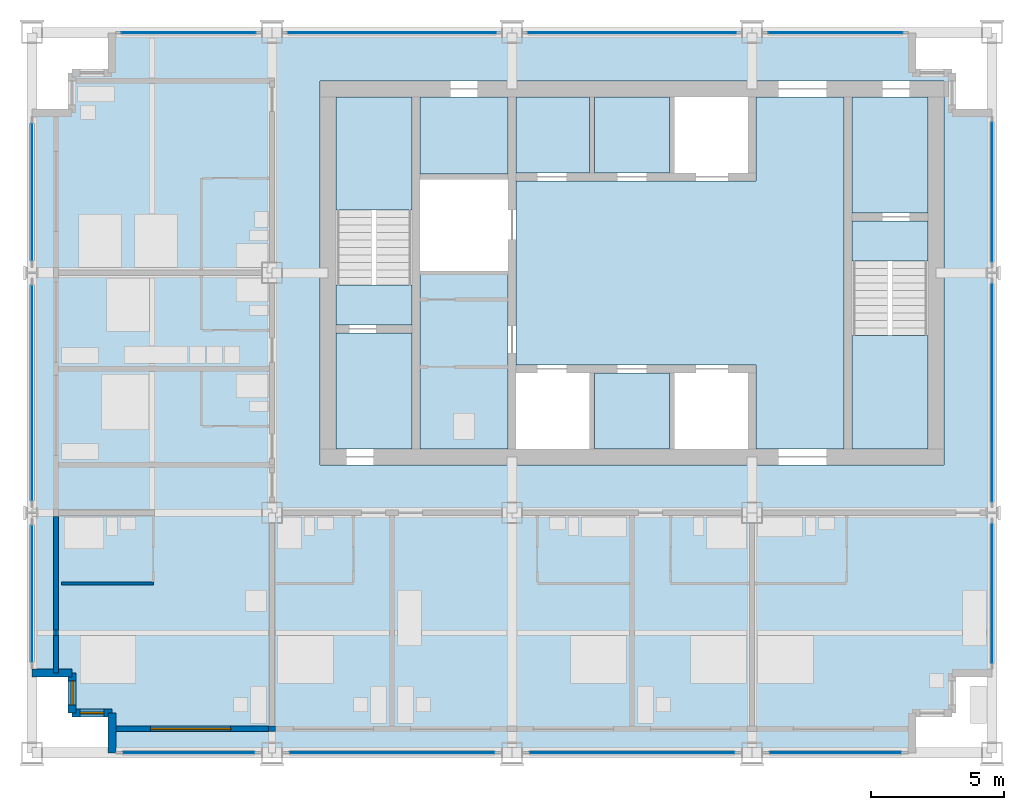
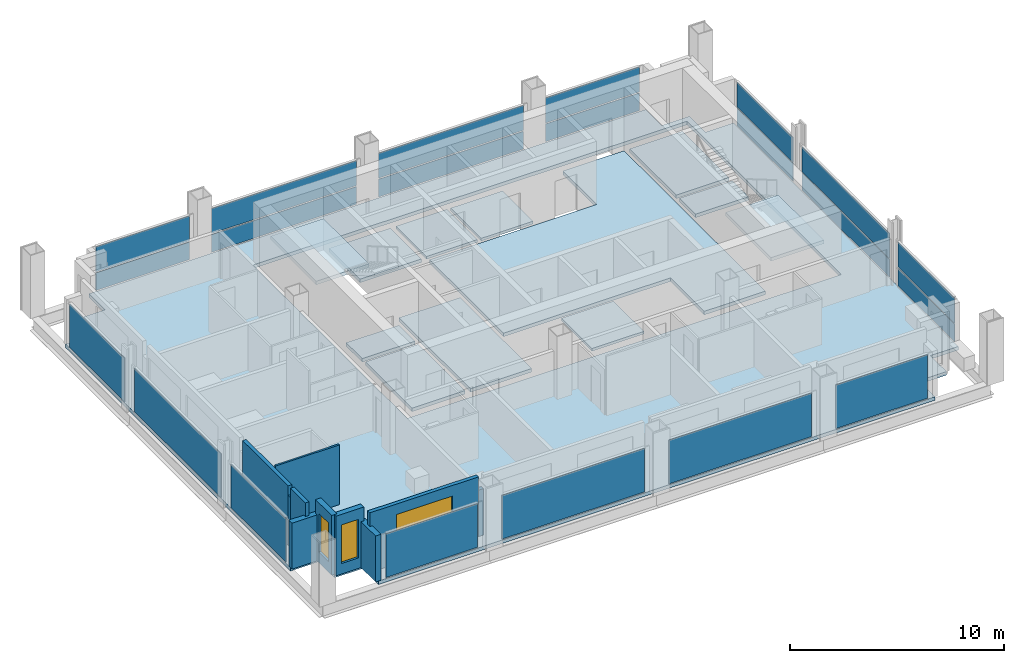
# One storey, part 5 of 12: 21 plates, 13 slabs, 10 walls, 3 windows, 3 openings, 16 elements without a shape of their own.
"""IFC4 building model written with IfcOpenShell, lengths in metres."""

from ifc_helpers import new_model, si_unit, direction, frame, frame_2d, origin, origin_2d, place, context, subcontext, project, spatial, polyline, rectangle, outline, extrude, material, layer, layer_set, type_object, element, fill, aggregate, save


model = new_model("IFC4")

# Units and contexts
model_context = context("Model", 3, precision=1e-05, world=origin(), true_north=direction((0.0, 1.0)))
body_context = subcontext(model_context, "Body", "Model", "MODEL_VIEW")
ifc_project = project(units=[si_unit("LENGTHUNIT", "METRE"), si_unit("AREAUNIT", "SQUARE_METRE"), si_unit("VOLUMEUNIT", "CUBIC_METRE"), si_unit("PLANEANGLEUNIT", "RADIAN"), si_unit("MASSUNIT", "GRAM", prefix="KILO")], contexts=[model_context])

# Site, building, storey
site_placement = place(None, origin())
site = spatial("IfcSite", under=ifc_project, at=site_placement, CompositionType="ELEMENT")
building_placement = place(site_placement, origin())
building = spatial("IfcBuilding", under=site, at=building_placement, Name="Loomwork Tower", CompositionType="ELEMENT")
storey_placement = place(building_placement, frame((0.0, 0.0, 233.800048828125)))
storey = spatial("IfcBuildingStorey", under=building, at=storey_placement, Name="L64", CompositionType="ELEMENT", Elevation=233.800048828125)

# Slabs
ifc_material_1 = material(Name="Concrete 5000 psi (34 MPa) on composite metal deck", Category="concrete")
ifc_layer_1 = layer(ifc_material_1, 0.199951171875)
ifc_layer_set_1 = layer_set([ifc_layer_1], Name="Floor slab 200")
slab_type_1 = type_object("IfcSlabType", Name="Floor slab 200", PredefinedType="FLOOR", material=ifc_layer_set_1)
slab_1_placement = place(storey_placement, frame((0.0, 0.0, -0.199951171875)))
element("IfcSlab", 1, at=slab_1_placement, inside=storey, type_object=slab_type_1, Name="Floor slab L64", PredefinedType="FLOOR", context=body_context, shape_type="SweptSolid", body=[
    extrude(outline(polyline([(3.0, 1.5), (1.5, 1.5), (1.5, 3.0), (0.0, 3.0), (0.0, 24.0), (1.5, 24.0), (1.5, 25.5), (3.0, 25.5), (3.0, 27.0), (33.0, 27.0), (33.0, 25.5), (34.5, 25.5), (34.5, 24.0), (36.0, 24.0), (36.0, 3.0), (34.5, 3.0), (34.5, 1.5), (33.0, 1.5), (33.0, 0.0), (3.0, 0.0), (3.0, 1.5)]), holes=[polyline([(10.800048828125, 11.39990234375), (10.800048828125, 11.39990234375), (10.800048828125, 10.800048828125), (34.199951171875, 10.800048828125), (34.199951171875, 11.39990234375), (34.199951171875, 11.39990234375), (34.199951171875, 24.60009765625), (34.199951171875, 25.199951171875), (10.800048828125, 25.199951171875), (10.800048828125, 24.60009765625), (10.800048828125, 11.39990234375)])]), origin(), (0.0, 0.0, 1.0), 0.199951171875),
])
slab_2_placement = place(storey_placement, frame((0.0, 0.0, -0.199951171875)))
element("IfcSlab", 2, at=slab_2_placement, inside=storey, type_object=slab_type_1, Name="Floor slab L64", PredefinedType="FLOOR", context=body_context, shape_type="SweptSolid", body=[
    extrude(outline(polyline([(30.449951171875, 24.60009765625), (30.449951171875, 11.39990234375), (27.14990234375, 11.39990234375), (27.14990234375, 14.25), (27.14990234375, 14.550048828125), (18.14990234375, 14.550048828125), (18.14990234375, 21.449951171875), (27.14990234375, 21.449951171875), (27.14990234375, 21.75), (27.14990234375, 24.60009765625), (30.449951171875, 24.60009765625)])), origin(), (0.0, 0.0, 1.0), 0.199951171875),
])
slab_3_placement = place(storey_placement, frame((0.0, 0.0, -0.199951171875)))
element("IfcSlab", 3, at=slab_3_placement, inside=storey, type_object=slab_type_1, Name="Floor slab L64", PredefinedType="FLOOR", context=body_context, shape_type="SweptSolid", body=[
    extrude(outline(polyline([(14.550048828125, 11.39990234375), (14.550048828125, 18.074951171875), (17.85009765625, 18.074951171875), (17.85009765625, 11.39990234375), (14.550048828125, 11.39990234375)])), origin(), (0.0, 0.0, 1.0), 0.199951171875),
])
slab_4_placement = place(storey_placement, frame((0.0, 0.0, -0.199951171875)))
element("IfcSlab", 4, at=slab_4_placement, inside=storey, type_object=slab_type_1, Name="Floor slab L64", PredefinedType="FLOOR", context=body_context, shape_type="SweptSolid", body=[
    extrude(outline(polyline([(33.60009765625, 20.25), (30.75, 20.25), (30.75, 24.60009765625), (33.60009765625, 24.60009765625), (33.60009765625, 20.25)])), origin(), (0.0, 0.0, 1.0), 0.199951171875),
])
slab_5_placement = place(storey_placement, frame((0.0, 0.0, -0.199951171875)))
element("IfcSlab", 5, at=slab_5_placement, inside=storey, type_object=slab_type_1, Name="Floor slab L64", PredefinedType="FLOOR", context=body_context, shape_type="SweptSolid", body=[
    extrude(outline(polyline([(14.25, 15.75), (14.25, 11.39990234375), (11.39990234375, 11.39990234375), (11.39990234375, 15.75), (14.25, 15.75)])), origin(), (0.0, 0.0, 1.0), 0.199951171875),
])
slab_6_placement = place(storey_placement, frame((0.0, 0.0, -0.199951171875)))
element("IfcSlab", 6, at=slab_6_placement, inside=storey, type_object=slab_type_1, Name="Floor slab L64", PredefinedType="FLOOR", context=body_context, shape_type="SweptSolid", body=[
    extrude(outline(polyline([(14.550048828125, 21.699951171875), (14.550048828125, 24.60009765625), (17.85009765625, 24.60009765625), (17.85009765625, 21.699951171875), (14.550048828125, 21.699951171875)])), origin(), (0.0, 0.0, 1.0), 0.199951171875),
])

# Curtain wall, plate
ifc_material_2 = material(Name="Aluminium curtain wall frame", Category="aluminium")
curtain_wall_type_1 = type_object("IfcCurtainWallType", Name="Outer skin glazing suites", PredefinedType="NOTDEFINED", material=ifc_material_2)
curtain_wall_1_placement = place(storey_placement, origin())
curtain_wall_1 = element("IfcCurtainWall", 7, at=curtain_wall_1_placement, inside=storey, type_object=curtain_wall_type_1, Name="Outer skin glazing suites cw/S-0", PredefinedType="NOTDEFINED")
ifc_material_3 = material(Name="Clear laminated glass", Category="glass")
ifc_layer_2 = layer(ifc_material_3, 0.02392578125)
ifc_layer_set_2 = layer_set([ifc_layer_2], Name="Outer skin glazing suites panel")
plate_type_1 = type_object("IfcPlateType", Name="Outer skin glazing suites panel", PredefinedType="CURTAIN_PANEL", material=ifc_layer_set_2)
plate_1_placement = place(storey_placement, frame((5.875, 0.0, 0.06494140625), z_axis=(0.0, 0.0, 1.0), x_axis=(1.0, 0.0, 0.0)))
plate_1 = element("IfcPlate", 8, at=plate_1_placement, type_object=plate_type_1, Name="CW2 panel 1.1", PredefinedType="CURTAIN_PANEL", context=body_context, shape_type="SweptSolid", body=[
    extrude(rectangle(XDim=4.949951171875, YDim=0.02392578125, at=origin_2d()), origin(), (0.0, 0.0, 1.0), 2.490234375),
])
aggregate(curtain_wall_1, [plate_1])

curtain_wall_2_placement = place(storey_placement, origin())
curtain_wall_2 = element("IfcCurtainWall", 9, at=curtain_wall_2_placement, inside=storey, type_object=curtain_wall_type_1, Name="Outer skin glazing suites cw/S-9", PredefinedType="NOTDEFINED")
plate_2_placement = place(storey_placement, frame((13.5, 0.0, 0.06494140625), z_axis=(0.0, 0.0, 1.0), x_axis=(1.0, 0.0, 0.0)))
plate_2 = element("IfcPlate", 10, at=plate_2_placement, type_object=plate_type_1, Name="CW2 panel 1.1", PredefinedType="CURTAIN_PANEL", context=body_context, shape_type="SweptSolid", body=[
    extrude(rectangle(XDim=7.699951171875, YDim=0.02392578125, at=origin_2d()), origin(), (0.0, 0.0, 1.0), 2.490234375),
])
aggregate(curtain_wall_2, [plate_2])

curtain_wall_3_placement = place(storey_placement, origin())
curtain_wall_3 = element("IfcCurtainWall", 11, at=curtain_wall_3_placement, inside=storey, type_object=curtain_wall_type_1, Name="Outer skin glazing suites cw/S-18", PredefinedType="NOTDEFINED")
plate_3_placement = place(storey_placement, frame((22.5, 0.0, 0.06494140625), z_axis=(0.0, 0.0, 1.0), x_axis=(1.0, 0.0, 0.0)))
plate_3 = element("IfcPlate", 12, at=plate_3_placement, type_object=plate_type_1, Name="CW2 panel 1.1", PredefinedType="CURTAIN_PANEL", context=body_context, shape_type="SweptSolid", body=[
    extrude(rectangle(XDim=7.699951171875, YDim=0.02392578125, at=origin_2d()), origin(), (0.0, 0.0, 1.0), 2.490234375),
])
aggregate(curtain_wall_3, [plate_3])

curtain_wall_4_placement = place(storey_placement, origin())
curtain_wall_4 = element("IfcCurtainWall", 13, at=curtain_wall_4_placement, inside=storey, type_object=curtain_wall_type_1, Name="Outer skin glazing suites cw/S-27", PredefinedType="NOTDEFINED")
plate_4_placement = place(storey_placement, frame((30.125, 0.0, 0.06494140625), z_axis=(0.0, 0.0, 1.0), x_axis=(1.0, 0.0, 0.0)))
plate_4 = element("IfcPlate", 14, at=plate_4_placement, type_object=plate_type_1, Name="CW2 panel 1.1", PredefinedType="CURTAIN_PANEL", context=body_context, shape_type="SweptSolid", body=[
    extrude(rectangle(XDim=4.949951171875, YDim=0.02392578125, at=origin_2d()), origin(), (0.0, 0.0, 1.0), 2.490234375),
])
aggregate(curtain_wall_4, [plate_4])

curtain_wall_5_placement = place(storey_placement, origin())
curtain_wall_5 = element("IfcCurtainWall", 15, at=curtain_wall_5_placement, inside=storey, type_object=curtain_wall_type_1, Name="Outer skin glazing suites cw/W-0", PredefinedType="NOTDEFINED")
plate_5_placement = place(storey_placement, frame((0.0, 5.969482421875, 0.06494140625), z_axis=(0.0, 0.0, 1.0), x_axis=(0.0, -1.0, 0.0)))
plate_5 = element("IfcPlate", 16, at=plate_5_placement, type_object=plate_type_1, Name="CW2 panel 1.1", PredefinedType="CURTAIN_PANEL", context=body_context, shape_type="SweptSolid", body=[
    extrude(rectangle(XDim=5.13916015625, YDim=0.02392578125, at=origin_2d()), origin(), (0.0, 0.0, 1.0), 2.490234375),
])
aggregate(curtain_wall_5, [plate_5])

curtain_wall_6_placement = place(storey_placement, origin())
curtain_wall_6 = element("IfcCurtainWall", 17, at=curtain_wall_6_placement, inside=storey, type_object=curtain_wall_type_1, Name="Outer skin glazing suites cw/W-9", PredefinedType="NOTDEFINED")
plate_6_placement = place(storey_placement, frame((0.0, 13.5, 0.06494140625), z_axis=(0.0, 0.0, 1.0), x_axis=(0.0, -1.0, 0.0)))
plate_6 = element("IfcPlate", 18, at=plate_6_placement, type_object=plate_type_1, Name="CW2 panel 1.1", PredefinedType="CURTAIN_PANEL", context=body_context, shape_type="SweptSolid", body=[
    extrude(rectangle(XDim=8.078369140625, YDim=0.02392578125, at=origin_2d()), origin(), (0.0, 0.0, 1.0), 2.490234375),
])
aggregate(curtain_wall_6, [plate_6])

curtain_wall_7_placement = place(storey_placement, origin())
curtain_wall_7 = element("IfcCurtainWall", 19, at=curtain_wall_7_placement, inside=storey, type_object=curtain_wall_type_1, Name="Outer skin glazing suites cw/W-18", PredefinedType="NOTDEFINED")
plate_7_placement = place(storey_placement, frame((0.0, 21.030517578125, 0.06494140625), z_axis=(0.0, 0.0, 1.0), x_axis=(0.0, -1.0, 0.0)))
plate_7 = element("IfcPlate", 20, at=plate_7_placement, type_object=plate_type_1, Name="CW2 panel 1.1", PredefinedType="CURTAIN_PANEL", context=body_context, shape_type="SweptSolid", body=[
    extrude(rectangle(XDim=5.13916015625, YDim=0.02392578125, at=origin_2d()), origin(), (0.0, 0.0, 1.0), 2.490234375),
])
aggregate(curtain_wall_7, [plate_7])

# Slabs
ifc_material_4 = material(Name="Concrete 5000 psi (34 MPa) on composite metal deck", Category="concrete")
ifc_layer_3 = layer(ifc_material_4, 0.14990234375)
ifc_layer_set_3 = layer_set([ifc_layer_3], Name="Shaft infill floor 150")
slab_type_2 = type_object("IfcSlabType", Name="Shaft infill floor 150", PredefinedType="FLOOR", material=ifc_layer_set_3)
slab_7_placement = place(storey_placement, frame((0.0, 0.0, -0.150146484375)))
element("IfcSlab", 21, at=slab_7_placement, inside=storey, type_object=slab_type_2, Name="Shaft infill floor LS1 L64", PredefinedType="FLOOR", context=body_context, shape_type="SweptSolid", body=[
    extrude(outline(polyline([(18.14990234375, 21.75), (20.89990234375, 21.75), (20.89990234375, 24.60009765625), (18.14990234375, 24.60009765625), (18.14990234375, 21.75)])), origin(), (0.0, 0.0, 1.0), 0.150146484375),
])
slab_8_placement = place(storey_placement, frame((0.0, 0.0, -0.150146484375)))
element("IfcSlab", 22, at=slab_8_placement, inside=storey, type_object=slab_type_2, Name="Shaft infill floor LS2 L64", PredefinedType="FLOOR", context=body_context, shape_type="SweptSolid", body=[
    extrude(outline(polyline([(21.10009765625, 21.75), (23.89990234375, 21.75), (23.89990234375, 24.60009765625), (21.10009765625, 24.60009765625), (21.10009765625, 21.75)])), origin(), (0.0, 0.0, 1.0), 0.150146484375),
])
slab_9_placement = place(storey_placement, frame((0.0, 0.0, -0.150146484375)))
element("IfcSlab", 23, at=slab_9_placement, inside=storey, type_object=slab_type_2, Name="Shaft infill floor S2 L64", PredefinedType="FLOOR", context=body_context, shape_type="SweptSolid", body=[
    extrude(outline(polyline([(21.10009765625, 11.39990234375), (23.89990234375, 11.39990234375), (23.89990234375, 14.25), (21.10009765625, 14.25), (21.10009765625, 11.39990234375)])), origin(), (0.0, 0.0, 1.0), 0.150146484375),
])

# Curtain wall, plates
ifc_material_5 = material(Name="Aluminium curtain wall frame", Category="aluminium")
curtain_wall_type_2 = type_object("IfcCurtainWallType", Name="Single skin glazing corridor", PredefinedType="NOTDEFINED", material=ifc_material_5)
curtain_wall_8_placement = place(storey_placement, origin())
curtain_wall_8 = element("IfcCurtainWall", 24, at=curtain_wall_8_placement, inside=storey, type_object=curtain_wall_type_2, Name="Single skin glazing corridor cw/N-0", PredefinedType="NOTDEFINED")
ifc_material_6 = material(Name="Clear insulated glass", Category="glass")
ifc_layer_4 = layer(ifc_material_6, 0.031982421875)
ifc_layer_set_4 = layer_set([ifc_layer_4], Name="Single skin glazing corridor panel")
plate_type_2 = type_object("IfcPlateType", Name="Single skin glazing corridor panel", PredefinedType="CURTAIN_PANEL", material=ifc_layer_set_4)
plate_8_placement = place(storey_placement, frame((5.875, 27.0, 0.06494140625), z_axis=(0.0, 0.0, 1.0), x_axis=(-1.0, 0.0, 0.0)))
plate_8 = element("IfcPlate", 25, at=plate_8_placement, type_object=plate_type_2, Name="CW3 panel 1.1", PredefinedType="CURTAIN_PANEL", context=body_context, shape_type="SweptSolid", body=[
    extrude(rectangle(XDim=5.050048828125, YDim=0.031982421875, at=origin_2d()), origin(), (0.0, 0.0, 1.0), 1.00244140625),
])
plate_9_placement = place(storey_placement, frame((5.875, 27.0, 1.13232421875), z_axis=(0.0, 0.0, 1.0), x_axis=(-1.0, 0.0, 0.0)))
plate_9 = element("IfcPlate", 26, at=plate_9_placement, type_object=plate_type_2, Name="CW3 panel 1.2", PredefinedType="CURTAIN_PANEL", context=body_context, shape_type="SweptSolid", body=[
    extrude(rectangle(XDim=5.050048828125, YDim=0.031982421875, at=origin_2d()), origin(), (0.0, 0.0, 1.0), 1.422607421875),
])
aggregate(curtain_wall_8, [plate_8, plate_9])

curtain_wall_9_placement = place(storey_placement, origin())
curtain_wall_9 = element("IfcCurtainWall", 27, at=curtain_wall_9_placement, inside=storey, type_object=curtain_wall_type_2, Name="Single skin glazing corridor cw/N-9", PredefinedType="NOTDEFINED")
plate_10_placement = place(storey_placement, frame((13.5, 27.0, 0.06494140625), z_axis=(0.0, 0.0, 1.0), x_axis=(-1.0, 0.0, 0.0)))
plate_10 = element("IfcPlate", 28, at=plate_10_placement, type_object=plate_type_2, Name="CW3 panel 1.1", PredefinedType="CURTAIN_PANEL", context=body_context, shape_type="SweptSolid", body=[
    extrude(rectangle(XDim=7.800048828125, YDim=0.031982421875, at=origin_2d()), origin(), (0.0, 0.0, 1.0), 1.00244140625),
])
plate_11_placement = place(storey_placement, frame((13.5, 27.0, 1.13232421875), z_axis=(0.0, 0.0, 1.0), x_axis=(-1.0, 0.0, 0.0)))
plate_11 = element("IfcPlate", 29, at=plate_11_placement, type_object=plate_type_2, Name="CW3 panel 1.2", PredefinedType="CURTAIN_PANEL", context=body_context, shape_type="SweptSolid", body=[
    extrude(rectangle(XDim=7.800048828125, YDim=0.031982421875, at=origin_2d()), origin(), (0.0, 0.0, 1.0), 1.422607421875),
])
aggregate(curtain_wall_9, [plate_10, plate_11])

curtain_wall_10_placement = place(storey_placement, origin())
curtain_wall_10 = element("IfcCurtainWall", 30, at=curtain_wall_10_placement, inside=storey, type_object=curtain_wall_type_2, Name="Single skin glazing corridor cw/N-18", PredefinedType="NOTDEFINED")
plate_12_placement = place(storey_placement, frame((22.5, 27.0, 0.06494140625), z_axis=(0.0, 0.0, 1.0), x_axis=(-1.0, 0.0, 0.0)))
plate_12 = element("IfcPlate", 31, at=plate_12_placement, type_object=plate_type_2, Name="CW3 panel 1.1", PredefinedType="CURTAIN_PANEL", context=body_context, shape_type="SweptSolid", body=[
    extrude(rectangle(XDim=7.800048828125, YDim=0.031982421875, at=origin_2d()), origin(), (0.0, 0.0, 1.0), 1.00244140625),
])
plate_13_placement = place(storey_placement, frame((22.5, 27.0, 1.13232421875), z_axis=(0.0, 0.0, 1.0), x_axis=(-1.0, 0.0, 0.0)))
plate_13 = element("IfcPlate", 32, at=plate_13_placement, type_object=plate_type_2, Name="CW3 panel 1.2", PredefinedType="CURTAIN_PANEL", context=body_context, shape_type="SweptSolid", body=[
    extrude(rectangle(XDim=7.800048828125, YDim=0.031982421875, at=origin_2d()), origin(), (0.0, 0.0, 1.0), 1.422607421875),
])
aggregate(curtain_wall_10, [plate_12, plate_13])

curtain_wall_11_placement = place(storey_placement, origin())
curtain_wall_11 = element("IfcCurtainWall", 33, at=curtain_wall_11_placement, inside=storey, type_object=curtain_wall_type_2, Name="Single skin glazing corridor cw/N-27", PredefinedType="NOTDEFINED")
plate_14_placement = place(storey_placement, frame((30.125, 27.0, 0.06494140625), z_axis=(0.0, 0.0, 1.0), x_axis=(-1.0, 0.0, 0.0)))
plate_14 = element("IfcPlate", 34, at=plate_14_placement, type_object=plate_type_2, Name="CW3 panel 1.1", PredefinedType="CURTAIN_PANEL", context=body_context, shape_type="SweptSolid", body=[
    extrude(rectangle(XDim=5.050048828125, YDim=0.031982421875, at=origin_2d()), origin(), (0.0, 0.0, 1.0), 1.00244140625),
])
plate_15_placement = place(storey_placement, frame((30.125, 27.0, 1.13232421875), z_axis=(0.0, 0.0, 1.0), x_axis=(-1.0, 0.0, 0.0)))
plate_15 = element("IfcPlate", 35, at=plate_15_placement, type_object=plate_type_2, Name="CW3 panel 1.2", PredefinedType="CURTAIN_PANEL", context=body_context, shape_type="SweptSolid", body=[
    extrude(rectangle(XDim=5.050048828125, YDim=0.031982421875, at=origin_2d()), origin(), (0.0, 0.0, 1.0), 1.422607421875),
])
aggregate(curtain_wall_11, [plate_14, plate_15])

curtain_wall_12_placement = place(storey_placement, origin())
curtain_wall_12 = element("IfcCurtainWall", 36, at=curtain_wall_12_placement, inside=storey, type_object=curtain_wall_type_2, Name="Single skin glazing corridor cw/E-0", PredefinedType="NOTDEFINED")
plate_16_placement = place(storey_placement, frame((36.0, 5.969482421875, 0.06494140625), z_axis=(0.0, 0.0, 1.0), x_axis=(0.0, 1.0, 0.0)))
plate_16 = element("IfcPlate", 37, at=plate_16_placement, type_object=plate_type_2, Name="CW3 panel 1.1", PredefinedType="CURTAIN_PANEL", context=body_context, shape_type="SweptSolid", body=[
    extrude(rectangle(XDim=5.2392578125, YDim=0.031982421875, at=origin_2d()), origin(), (0.0, 0.0, 1.0), 1.00244140625),
])
plate_17_placement = place(storey_placement, frame((36.0, 5.969482421875, 1.13232421875), z_axis=(0.0, 0.0, 1.0), x_axis=(0.0, 1.0, 0.0)))
plate_17 = element("IfcPlate", 38, at=plate_17_placement, type_object=plate_type_2, Name="CW3 panel 1.2", PredefinedType="CURTAIN_PANEL", context=body_context, shape_type="SweptSolid", body=[
    extrude(rectangle(XDim=5.2392578125, YDim=0.031982421875, at=origin_2d()), origin(), (0.0, 0.0, 1.0), 1.422607421875),
])
aggregate(curtain_wall_12, [plate_16, plate_17])

curtain_wall_13_placement = place(storey_placement, origin())
curtain_wall_13 = element("IfcCurtainWall", 39, at=curtain_wall_13_placement, inside=storey, type_object=curtain_wall_type_2, Name="Single skin glazing corridor cw/E-9", PredefinedType="NOTDEFINED")
plate_18_placement = place(storey_placement, frame((36.0, 13.5, 0.06494140625), z_axis=(0.0, 0.0, 1.0), x_axis=(0.0, 1.0, 0.0)))
plate_18 = element("IfcPlate", 40, at=plate_18_placement, type_object=plate_type_2, Name="CW3 panel 1.1", PredefinedType="CURTAIN_PANEL", context=body_context, shape_type="SweptSolid", body=[
    extrude(rectangle(XDim=8.178466796875, YDim=0.031982421875, at=origin_2d()), origin(), (0.0, 0.0, 1.0), 1.00244140625),
])
plate_19_placement = place(storey_placement, frame((36.0, 13.5, 1.13232421875), z_axis=(0.0, 0.0, 1.0), x_axis=(0.0, 1.0, 0.0)))
plate_19 = element("IfcPlate", 41, at=plate_19_placement, type_object=plate_type_2, Name="CW3 panel 1.2", PredefinedType="CURTAIN_PANEL", context=body_context, shape_type="SweptSolid", body=[
    extrude(rectangle(XDim=8.178466796875, YDim=0.031982421875, at=origin_2d()), origin(), (0.0, 0.0, 1.0), 1.422607421875),
])
aggregate(curtain_wall_13, [plate_18, plate_19])

curtain_wall_14_placement = place(storey_placement, origin())
curtain_wall_14 = element("IfcCurtainWall", 42, at=curtain_wall_14_placement, inside=storey, type_object=curtain_wall_type_2, Name="Single skin glazing corridor cw/E-18", PredefinedType="NOTDEFINED")
plate_20_placement = place(storey_placement, frame((36.0, 21.030517578125, 0.06494140625), z_axis=(0.0, 0.0, 1.0), x_axis=(0.0, 1.0, 0.0)))
plate_20 = element("IfcPlate", 43, at=plate_20_placement, type_object=plate_type_2, Name="CW3 panel 1.1", PredefinedType="CURTAIN_PANEL", context=body_context, shape_type="SweptSolid", body=[
    extrude(rectangle(XDim=5.2392578125, YDim=0.031982421875, at=origin_2d()), origin(), (0.0, 0.0, 1.0), 1.00244140625),
])
plate_21_placement = place(storey_placement, frame((36.0, 21.030517578125, 1.13232421875), z_axis=(0.0, 0.0, 1.0), x_axis=(0.0, 1.0, 0.0)))
plate_21 = element("IfcPlate", 44, at=plate_21_placement, type_object=plate_type_2, Name="CW3 panel 1.2", PredefinedType="CURTAIN_PANEL", context=body_context, shape_type="SweptSolid", body=[
    extrude(rectangle(XDim=5.2392578125, YDim=0.031982421875, at=origin_2d()), origin(), (0.0, 0.0, 1.0), 1.422607421875),
])
aggregate(curtain_wall_14, [plate_20, plate_21])

# Stair, slabs
ifc_material_7 = material(Name="Concrete 5000 psi (34 MPa) precast stair", Category="concrete")
stair_type_1 = type_object("IfcStairType", Name="Stair ST-A 22 risers 2850 wide", PredefinedType="HALF_TURN_STAIR", material=ifc_material_7)
stair_1_placement = place(storey_placement, origin())
stair_1 = element("IfcStair", 45, at=stair_1_placement, inside=storey, type_object=stair_type_1, Name="Stair A L64", PredefinedType="HALF_TURN_STAIR")
ifc_material_8 = material(Name="Concrete 5000 psi (34 MPa)", Category="concrete")
ifc_layer_5 = layer(ifc_material_8, 0.199951171875)
ifc_layer_set_5 = layer_set([ifc_layer_5], Name="Stair landing 200")
slab_type_3 = type_object("IfcSlabType", Name="Stair landing 200", PredefinedType="LANDING", material=ifc_layer_set_5)
slab_10_placement = place(storey_placement, frame((0.0, 0.0, -0.199951171875)))
slab_10 = element("IfcSlab", 46, at=slab_10_placement, type_object=slab_type_3, Name="ST-A landing 1", PredefinedType="LANDING", context=body_context, shape_type="SweptSolid", body=[
    extrude(outline(polyline([(11.39990234375, 16.050048828125), (14.25, 16.050048828125), (14.25, 17.550048828125), (11.39990234375, 17.550048828125), (11.39990234375, 16.050048828125)])), origin(), (0.0, 0.0, 1.0), 0.199951171875),
])
slab_11_placement = place(storey_placement, frame((0.0, 0.0, 1.599853515625)))
slab_11 = element("IfcSlab", 47, at=slab_11_placement, type_object=slab_type_3, Name="ST-A landing 2", PredefinedType="LANDING", context=body_context, shape_type="SweptSolid", body=[
    extrude(outline(polyline([(11.39990234375, 20.35009765625), (14.25, 20.35009765625), (14.25, 24.60009765625), (11.39990234375, 24.60009765625), (11.39990234375, 20.35009765625)])), origin(), (0.0, 0.0, 1.0), 0.2001953125),
])
aggregate(stair_1, [slab_10, slab_11])

ifc_material_9 = material(Name="Concrete 5000 psi (34 MPa) precast stair", Category="concrete")
stair_type_2 = type_object("IfcStairType", Name="Stair ST-B 22 risers 2850 wide", PredefinedType="HALF_TURN_STAIR", material=ifc_material_9)
stair_2_placement = place(storey_placement, origin())
stair_2 = element("IfcStair", 48, at=stair_2_placement, inside=storey, type_object=stair_type_2, Name="Stair B L64", PredefinedType="HALF_TURN_STAIR")
slab_12_placement = place(storey_placement, frame((0.0, 0.0, -0.199951171875)))
slab_12 = element("IfcSlab", 49, at=slab_12_placement, type_object=slab_type_3, Name="ST-B landing 1", PredefinedType="LANDING", context=body_context, shape_type="SweptSolid", body=[
    extrude(outline(polyline([(30.75, 18.449951171875), (33.60009765625, 18.449951171875), (33.60009765625, 19.949951171875), (30.75, 19.949951171875), (30.75, 18.449951171875)])), origin(), (0.0, 0.0, 1.0), 0.199951171875),
])
slab_13_placement = place(storey_placement, frame((0.0, 0.0, 1.599853515625)))
slab_13 = element("IfcSlab", 50, at=slab_13_placement, type_object=slab_type_3, Name="ST-B landing 2", PredefinedType="LANDING", context=body_context, shape_type="SweptSolid", body=[
    extrude(outline(polyline([(30.75, 11.39990234375), (33.60009765625, 11.39990234375), (33.60009765625, 15.64990234375), (30.75, 15.64990234375), (30.75, 11.39990234375)])), origin(), (0.0, 0.0, 1.0), 0.2001953125),
])
aggregate(stair_2, [slab_12, slab_13])

# Wall
ifc_material_10 = material(Name="Cement board on steel studs", Category="steel")
ifc_layer_6 = layer(ifc_material_10, 0.10009765625)
ifc_layer_set_6 = layer_set([ifc_layer_6], Name="En-suite partition 100")
wall_type_1 = type_object("IfcWallType", Name="En-suite partition 100", PredefinedType="PARTITIONING", material=ifc_layer_set_6)
wall_1_placement = place(storey_placement, frame((1.10009765625, 6.35009765625, 0.0), z_axis=(0.0, 0.0, 1.0), x_axis=(1.0, 0.0, 0.0)))
element("IfcWall", 51, at=wall_1_placement, inside=storey, type_object=wall_type_1, Name="En-suite wall L64 room 1", PredefinedType="PARTITIONING", context=body_context, shape_type="SweptSolid", body=[
    extrude(rectangle(XDim=3.449951171875, YDim=0.10009765625, at=frame_2d((1.72509765625, 0.0))), origin(), (0.0, 0.0, 1.0), 3.39990234375),
])

# Wall, opening, window
ifc_material_11 = material(Name="Insulated steel stud wall with gypsum lining", Category="steel")
ifc_layer_7 = layer(ifc_material_11, 0.199951171875)
ifc_layer_set_7 = layer_set([ifc_layer_7], Name="Inner skin wall 200")
wall_type_2 = type_object("IfcWallType", Name="Inner skin wall 200", PredefinedType="SOLIDWALL", material=ifc_layer_set_7)
wall_2_placement = place(storey_placement, frame((3.0, 0.89990234375, 0.0), z_axis=(0.0, 0.0, 1.0), x_axis=(1.0, 0.0, 0.0)))
wall_2 = element("IfcWall", 52, at=wall_2_placement, inside=storey, type_object=wall_type_2, Name="Inner skin wall S", PredefinedType="SOLIDWALL", context=body_context, shape_type="SweptSolid", body=[
    extrude(rectangle(XDim=5.86474609375, YDim=0.199951171875, at=frame_2d((2.932373046875, 0.0))), origin(), (0.0, 0.0, 1.0), 3.39990234375),
])
opening_1_placement = place(wall_2_placement, frame((1.449951171875, 0.0, 0.60009765625)))
opening_1 = element("IfcOpeningElement", 53, at=opening_1_placement, cuts=wall_2, Name="Opening CH1", PredefinedType="OPENING", context=body_context, shape_type="SweptSolid", body=[
    extrude(rectangle(XDim=3.0, YDim=2.199951171875, at=frame_2d((1.5, 1.10009765625))), frame((0.0, 0.10986328125, 0.0), z_axis=(0.0, -1.0, 0.0), x_axis=(1.0, 0.0, 0.0)), (0.0, 0.0, 1.0), 0.219970703125),
])
ifc_material_12 = material(Name="Aluminium frame with clear insulated glass", Category="aluminium")
window_type_1 = type_object("IfcWindowType", Name="Chicago window 3000", PartitioningType="TRIPLE_PANEL_VERTICAL", PredefinedType="WINDOW", material=ifc_material_12)
window_1_placement = place(opening_1_placement, origin())
window_1 = element("IfcWindow", 54, at=window_1_placement, inside=storey, type_object=window_type_1, Name="Chicago window L64 bay 1", OverallHeight=2.199951171875, OverallWidth=3.0, PartitioningType="TRIPLE_PANEL_VERTICAL", PredefinedType="WINDOW", context=body_context, shape_type="SweptSolid", body=[
    extrude(rectangle(XDim=3.0, YDim=2.199951171875, at=frame_2d((1.5, 1.10009765625))), frame((0.0, 0.030029296875, 0.0), z_axis=(0.0, -1.0, 0.0), x_axis=(1.0, 0.0, 0.0)), (0.0, 0.0, 1.0), 0.06005859375),
])
fill(opening_1, window_1)

# Walls
wall_3_placement = place(storey_placement, frame((0.89990234375, 3.0, 0.0), z_axis=(0.0, 0.0, 1.0), x_axis=(0.0, 1.0, 0.0)))
element("IfcWall", 55, at=wall_3_placement, inside=storey, type_object=wall_type_2, Name="Inner skin wall W", PredefinedType="SOLIDWALL", context=body_context, shape_type="SweptSolid", body=[
    extrude(rectangle(XDim=1.392578125, YDim=0.199951171875, at=frame_2d((0.6962890625, 0.0))), origin(), (0.0, 0.0, 1.0), 3.39990234375),
])
wall_4_placement = place(storey_placement, frame((8.86474609375, 0.89990234375, 0.0), z_axis=(0.0, 0.0, 1.0), x_axis=(1.0, 0.0, 0.0)))
element("IfcWall", 56, at=wall_4_placement, inside=storey, type_object=wall_type_2, Name="Inner skin wall S bay 2", PredefinedType="SOLIDWALL", context=body_context, shape_type="SweptSolid", body=[
    extrude(rectangle(XDim=0.2705078125, YDim=0.199951171875, at=frame_2d((0.13525390625, 0.0))), origin(), (0.0, 0.0, 1.0), 2.637939453125),
])
wall_5_placement = place(storey_placement, frame((0.89990234375, 4.392578125, 0.0), z_axis=(0.0, 0.0, 1.0), x_axis=(0.0, 1.0, 0.0)))
element("IfcWall", 57, at=wall_5_placement, inside=storey, type_object=wall_type_2, Name="Inner skin wall W bay 2", PredefinedType="SOLIDWALL", context=body_context, shape_type="SweptSolid", body=[
    extrude(rectangle(XDim=0.21484375, YDim=0.199951171875, at=frame_2d((0.107421875, 0.0))), origin(), (0.0, 0.0, 1.0), 2.86083984375),
])
wall_6_placement = place(storey_placement, frame((0.89990234375, 4.607421875, 0.0), z_axis=(0.0, 0.0, 1.0), x_axis=(0.0, 1.0, 0.0)))
element("IfcWall", 58, at=wall_6_placement, inside=storey, type_object=wall_type_2, Name="Inner skin wall W bay 3", PredefinedType="SOLIDWALL", context=body_context, shape_type="SweptSolid", body=[
    extrude(rectangle(XDim=4.25732421875, YDim=0.199951171875, at=frame_2d((2.128662109375, 0.0))), origin(), (0.0, 0.0, 1.0), 3.39990234375),
])
ifc_material_13 = material(Name="Limestone on concrete masonry", Category="masonry")
ifc_layer_8 = layer(ifc_material_13, 0.300048828125)
ifc_layer_set_8 = layer_set([ifc_layer_8], Name="Limestone corner wall 300")
wall_type_3 = type_object("IfcWallType", Name="Limestone corner wall 300", PredefinedType="SOLIDWALL", material=ifc_layer_set_8)
wall_7_placement = place(storey_placement, frame((0.0, 3.0, 0.0), z_axis=(0.0, 0.0, 1.0), x_axis=(1.0, 0.0, 0.0)))
element("IfcWall", 59, at=wall_7_placement, inside=storey, type_object=wall_type_3, Name="Stone corner wall SW 1", PredefinedType="SOLIDWALL", context=body_context, shape_type="SweptSolid", body=[
    extrude(rectangle(XDim=1.5, YDim=0.300048828125, at=frame_2d((0.75, 0.0))), origin(), (0.0, 0.0, 1.0), 2.619873046875),
])

# Wall, opening, window
wall_8_placement = place(storey_placement, frame((1.5, 3.0, 0.0), z_axis=(0.0, 0.0, 1.0), x_axis=(0.0, -1.0, 0.0)))
wall_8 = element("IfcWall", 60, at=wall_8_placement, inside=storey, type_object=wall_type_3, Name="Stone corner wall SW 2", PredefinedType="SOLIDWALL", context=body_context, shape_type="SweptSolid", body=[
    extrude(rectangle(XDim=1.5, YDim=0.300048828125, at=frame_2d((0.75, 0.0))), origin(), (0.0, 0.0, 1.0), 3.39990234375),
])
opening_2_placement = place(wall_8_placement, frame((0.300048828125, 0.0, 0.60009765625)))
opening_2 = element("IfcOpeningElement", 61, at=opening_2_placement, cuts=wall_8, Name="Opening CH2", PredefinedType="OPENING", context=body_context, shape_type="SweptSolid", body=[
    extrude(rectangle(XDim=0.89990234375, YDim=2.199951171875, at=frame_2d((0.449951171875, 1.10009765625))), frame((0.0, 0.159912109375, 0.0), z_axis=(0.0, -1.0, 0.0), x_axis=(1.0, 0.0, 0.0)), (0.0, 0.0, 1.0), 0.320068359375),
])
ifc_material_14 = material(Name="Aluminium frame with clear insulated glass", Category="aluminium")
window_type_2 = type_object("IfcWindowType", Name="Corner window 900", PartitioningType="SINGLE_PANEL", PredefinedType="WINDOW", material=ifc_material_14)
window_2_placement = place(opening_2_placement, origin())
window_2 = element("IfcWindow", 62, at=window_2_placement, inside=storey, type_object=window_type_2, Name="Corner window SW", OverallHeight=2.199951171875, OverallWidth=0.89990234375, PartitioningType="SINGLE_PANEL", PredefinedType="WINDOW", context=body_context, shape_type="SweptSolid", body=[
    extrude(rectangle(XDim=0.89990234375, YDim=2.199951171875, at=frame_2d((0.449951171875, 1.10009765625))), frame((0.0, 0.030029296875, 0.0), z_axis=(0.0, -1.0, 0.0), x_axis=(1.0, 0.0, 0.0)), (0.0, 0.0, 1.0), 0.06005859375),
])
fill(opening_2, window_2)

wall_9_placement = place(storey_placement, frame((1.5, 1.5, 0.0), z_axis=(0.0, 0.0, 1.0), x_axis=(1.0, 0.0, 0.0)))
wall_9 = element("IfcWall", 63, at=wall_9_placement, inside=storey, type_object=wall_type_3, Name="Stone corner wall SW 3", PredefinedType="SOLIDWALL", context=body_context, shape_type="SweptSolid", body=[
    extrude(rectangle(XDim=1.5, YDim=0.300048828125, at=frame_2d((0.75, 0.0))), origin(), (0.0, 0.0, 1.0), 3.39990234375),
])
opening_3_placement = place(wall_9_placement, frame((0.300048828125, 0.0, 0.60009765625)))
opening_3 = element("IfcOpeningElement", 64, at=opening_3_placement, cuts=wall_9, Name="Opening CH2", PredefinedType="OPENING", context=body_context, shape_type="SweptSolid", body=[
    extrude(rectangle(XDim=0.89990234375, YDim=2.199951171875, at=frame_2d((0.449951171875, 1.10009765625))), frame((0.0, 0.159912109375, 0.0), z_axis=(0.0, -1.0, 0.0), x_axis=(1.0, 0.0, 0.0)), (0.0, 0.0, 1.0), 0.320068359375),
])
window_3_placement = place(opening_3_placement, origin())
window_3 = element("IfcWindow", 65, at=window_3_placement, inside=storey, type_object=window_type_2, Name="Corner window SW", OverallHeight=2.199951171875, OverallWidth=0.89990234375, PartitioningType="SINGLE_PANEL", PredefinedType="WINDOW", context=body_context, shape_type="SweptSolid", body=[
    extrude(rectangle(XDim=0.89990234375, YDim=2.199951171875, at=frame_2d((0.449951171875, 1.10009765625))), frame((0.0, 0.030029296875, 0.0), z_axis=(0.0, -1.0, 0.0), x_axis=(1.0, 0.0, 0.0)), (0.0, 0.0, 1.0), 0.06005859375),
])
fill(opening_3, window_3)

# Wall
wall_10_placement = place(storey_placement, frame((3.0, 1.5, 0.0), z_axis=(0.0, 0.0, 1.0), x_axis=(0.0, -1.0, 0.0)))
element("IfcWall", 66, at=wall_10_placement, inside=storey, type_object=wall_type_3, Name="Stone corner wall SW 4", PredefinedType="SOLIDWALL", context=body_context, shape_type="SweptSolid", body=[
    extrude(rectangle(XDim=1.5, YDim=0.300048828125, at=frame_2d((0.75, 0.0))), origin(), (0.0, 0.0, 1.0), 2.619873046875),
])

save(model, "model.ifc")
